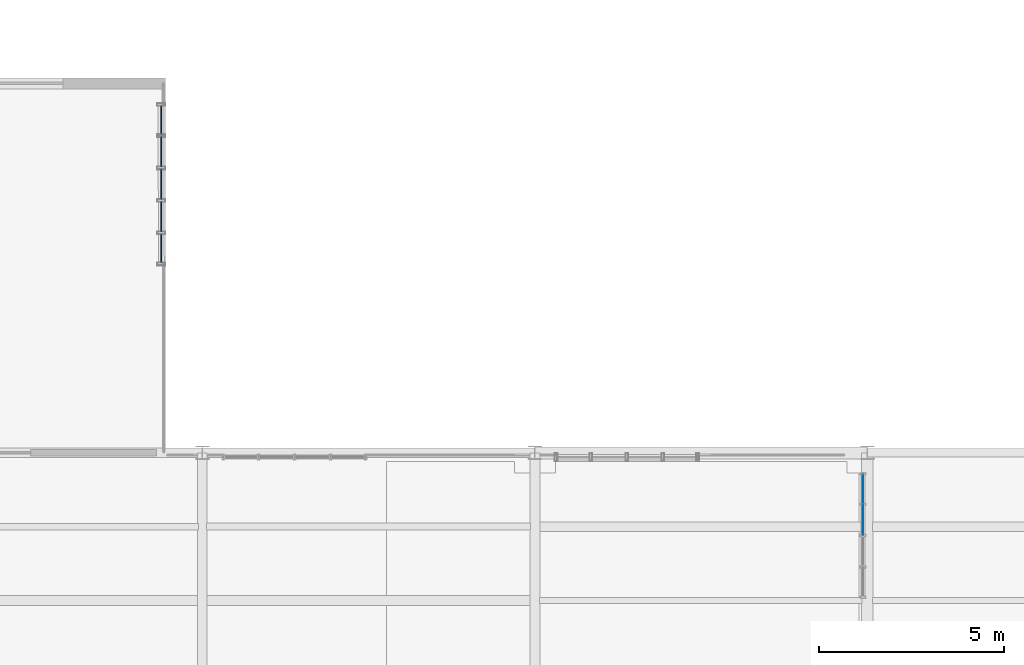
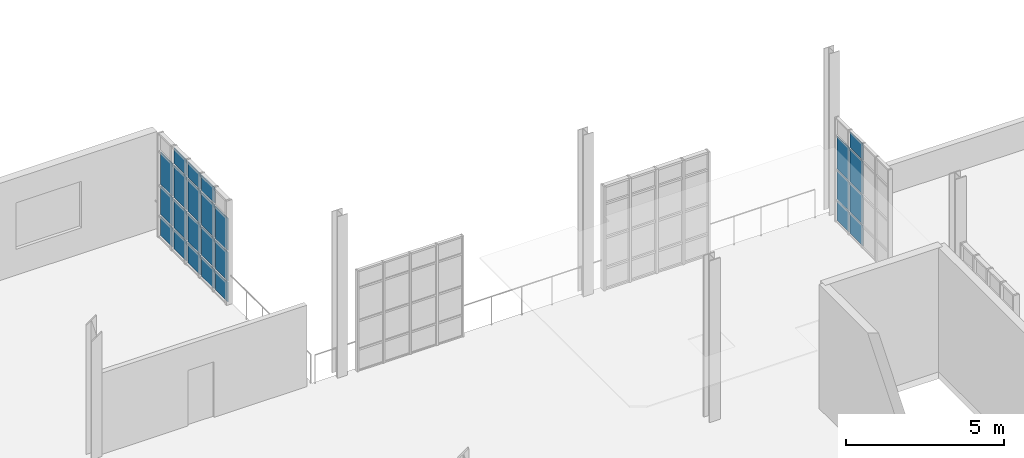
# One storey, part 95 of 118: 25 plates, 2 elements without a shape of their own.
"""IFC4 building model written with IfcOpenShell, lengths in metres."""

from ifc_helpers import new_model, si_unit, direction, frame, origin, origin_2d, place, context, subcontext, project, spatial, rectangle, extrude, material, layer, layer_set, type_object, element, aggregate, save


model = new_model("IFC4")

# Units and contexts
model_context = context("Model", 3, precision=1e-05, world=origin(), true_north=direction((0.0, 1.0)))
body_context = subcontext(model_context, "Body", "Model", "MODEL_VIEW")
ifc_project = project(units=[si_unit("LENGTHUNIT", "METRE"), si_unit("AREAUNIT", "SQUARE_METRE"), si_unit("VOLUMEUNIT", "CUBIC_METRE"), si_unit("PLANEANGLEUNIT", "RADIAN"), si_unit("MASSUNIT", "GRAM", prefix="KILO"), si_unit("THERMODYNAMICTEMPERATUREUNIT", "KELVIN"), si_unit("POWERUNIT", "WATT")], contexts=[model_context])

# Site, building, storey
site_placement = place(None, origin())
site = spatial("IfcSite", under=ifc_project, at=site_placement, CompositionType="ELEMENT")
building_placement = place(site_placement, origin())
building = spatial("IfcBuilding", under=site, at=building_placement, Name="Zelmaris Science Centre", CompositionType="ELEMENT")
storey_placement = place(building_placement, frame((0.0, 0.0, 15.60009765625)))
storey = spatial("IfcBuildingStorey", under=building, at=storey_placement, Name="L03", CompositionType="ELEMENT", Elevation=15.60009765625)

# Curtain wall, plates
ifc_material_1 = material(Name="Anodised architectural aluminium 6063-T6", Category="aluminium")
ifc_layer_1 = layer(ifc_material_1, 0.199951171875, Name="Anodised architectural aluminium 6063-T6")
ifc_layer_set_1 = layer_set([ifc_layer_1], Name="Anodised architectural aluminium 6063-T6")
curtain_wall_type_1 = type_object("IfcCurtainWallType", Name="Curtain Wall CW-02", PredefinedType="USERDEFINED", material=ifc_layer_set_1)
curtain_wall_1_placement = place(storey_placement, origin())
curtain_wall_1 = element("IfcCurtainWall", 1, at=curtain_wall_1_placement, inside=storey, type_object=curtain_wall_type_1, Name="L03 Unitised curtain wall 290", ObjectType="GLAZED CURTAIN WALL", PredefinedType="USERDEFINED")
ifc_material_2 = material(Name="Laminated hurricane-rated low-E insulated glazing", Category="glass")
ifc_layer_2 = layer(ifc_material_2, 0.028076171875, Name="Laminated hurricane-rated low-E insulated glazing")
ifc_layer_set_2 = layer_set([ifc_layer_2], Name="Laminated hurricane-rated low-E insulated glazing")
plate_type_1 = type_object("IfcPlateType", Name="Curtain Glazing Panel CWP-2 28mm", PredefinedType="CURTAIN_PANEL", material=ifc_layer_set_2)
plate_1_placement = place(storey_placement, frame((115.88134765625, 65.004150390625, 0.052001953125), z_axis=(0.0, 0.0, 1.0), x_axis=(0.001367052727, -0.999999065583, 0.0)))
plate_1 = element("IfcPlate", 2, at=plate_1_placement, type_object=plate_type_1, Name="CW-02 panel 1.1", PredefinedType="CURTAIN_PANEL", context=body_context, shape_type="SweptSolid", body=[
    extrude(rectangle(XDim=0.77734375, YDim=0.028076171875, at=origin_2d()), origin(), (0.0, 0.0, 1.0), 0.74951171875),
])
plate_2_placement = place(storey_placement, frame((115.88134765625, 65.004150390625, 0.868408203125), z_axis=(0.0, 0.0, 1.0), x_axis=(0.001367052727, -0.999999065583, 0.0)))
plate_2 = element("IfcPlate", 3, at=plate_2_placement, type_object=plate_type_1, Name="CW-02 panel 1.2", PredefinedType="CURTAIN_PANEL", context=body_context, shape_type="SweptSolid", body=[
    extrude(rectangle(XDim=0.77734375, YDim=0.028076171875, at=origin_2d()), origin(), (0.0, 0.0, 1.0), 1.10546875),
])
plate_3_placement = place(storey_placement, frame((115.88134765625, 65.004150390625, 2.041015625), z_axis=(0.0, 0.0, 1.0), x_axis=(0.001367052727, -0.999999065583, 0.0)))
plate_3 = element("IfcPlate", 4, at=plate_3_placement, type_object=plate_type_1, Name="CW-02 panel 1.3", PredefinedType="CURTAIN_PANEL", context=body_context, shape_type="SweptSolid", body=[
    extrude(rectangle(XDim=0.77734375, YDim=0.028076171875, at=origin_2d()), origin(), (0.0, 0.0, 1.0), 1.255615234375),
])
plate_4_placement = place(storey_placement, frame((115.882568359375, 64.14306640625, 0.052001953125), z_axis=(0.0, 0.0, 1.0), x_axis=(0.001367052727, -0.999999065583, 0.0)))
plate_4 = element("IfcPlate", 5, at=plate_4_placement, type_object=plate_type_1, Name="CW-02 panel 2.1", PredefinedType="CURTAIN_PANEL", context=body_context, shape_type="SweptSolid", body=[
    extrude(rectangle(XDim=0.810791015625, YDim=0.028076171875, at=origin_2d()), origin(), (0.0, 0.0, 1.0), 0.74951171875),
])
plate_5_placement = place(storey_placement, frame((115.882568359375, 64.14306640625, 0.868408203125), z_axis=(0.0, 0.0, 1.0), x_axis=(0.001367052727, -0.999999065583, 0.0)))
plate_5 = element("IfcPlate", 6, at=plate_5_placement, type_object=plate_type_1, Name="CW-02 panel 2.2", PredefinedType="CURTAIN_PANEL", context=body_context, shape_type="SweptSolid", body=[
    extrude(rectangle(XDim=0.810791015625, YDim=0.028076171875, at=origin_2d()), origin(), (0.0, 0.0, 1.0), 1.10546875),
])
plate_6_placement = place(storey_placement, frame((115.882568359375, 64.14306640625, 2.041015625), z_axis=(0.0, 0.0, 1.0), x_axis=(0.001367052727, -0.999999065583, 0.0)))
plate_6 = element("IfcPlate", 7, at=plate_6_placement, type_object=plate_type_1, Name="CW-02 panel 2.3", PredefinedType="CURTAIN_PANEL", context=body_context, shape_type="SweptSolid", body=[
    extrude(rectangle(XDim=0.810791015625, YDim=0.028076171875, at=origin_2d()), origin(), (0.0, 0.0, 1.0), 1.255615234375),
])
plate_7_placement = place(storey_placement, frame((115.882568359375, 64.14306640625, 3.36328125), z_axis=(0.0, 0.0, 1.0), x_axis=(0.001367052727, -0.999999065583, 0.0)))
plate_7 = element("IfcPlate", 8, at=plate_7_placement, type_object=plate_type_1, Name="CW-02 panel 2.4", PredefinedType="CURTAIN_PANEL", context=body_context, shape_type="SweptSolid", body=[
    extrude(rectangle(XDim=0.810791015625, YDim=0.028076171875, at=origin_2d()), origin(), (0.0, 0.0, 1.0), 0.599609375),
])
plate_8_placement = place(storey_placement, frame((115.8837890625, 63.26513671875, 0.052001953125), z_axis=(0.0, 0.0, 1.0), x_axis=(0.001367052727, -0.999999065583, 0.0)))
plate_8 = element("IfcPlate", 9, at=plate_8_placement, type_object=plate_type_1, Name="CW-02 panel 3.1", PredefinedType="CURTAIN_PANEL", context=body_context, shape_type="SweptSolid", body=[
    extrude(rectangle(XDim=0.810791015625, YDim=0.028076171875, at=origin_2d()), origin(), (0.0, 0.0, 1.0), 0.74951171875),
])
plate_9_placement = place(storey_placement, frame((115.8837890625, 63.26513671875, 0.868408203125), z_axis=(0.0, 0.0, 1.0), x_axis=(0.001367052727, -0.999999065583, 0.0)))
plate_9 = element("IfcPlate", 10, at=plate_9_placement, type_object=plate_type_1, Name="CW-02 panel 3.2", PredefinedType="CURTAIN_PANEL", context=body_context, shape_type="SweptSolid", body=[
    extrude(rectangle(XDim=0.810791015625, YDim=0.028076171875, at=origin_2d()), origin(), (0.0, 0.0, 1.0), 1.10546875),
])
plate_10_placement = place(storey_placement, frame((115.8837890625, 63.26513671875, 2.041015625), z_axis=(0.0, 0.0, 1.0), x_axis=(0.001367052727, -0.999999065583, 0.0)))
plate_10 = element("IfcPlate", 11, at=plate_10_placement, type_object=plate_type_1, Name="CW-02 panel 3.3", PredefinedType="CURTAIN_PANEL", context=body_context, shape_type="SweptSolid", body=[
    extrude(rectangle(XDim=0.810791015625, YDim=0.028076171875, at=origin_2d()), origin(), (0.0, 0.0, 1.0), 1.255615234375),
])
plate_11_placement = place(storey_placement, frame((115.8837890625, 63.26513671875, 3.36328125), z_axis=(0.0, 0.0, 1.0), x_axis=(0.001367052727, -0.999999065583, 0.0)))
plate_11 = element("IfcPlate", 12, at=plate_11_placement, type_object=plate_type_1, Name="CW-02 panel 3.4", PredefinedType="CURTAIN_PANEL", context=body_context, shape_type="SweptSolid", body=[
    extrude(rectangle(XDim=0.810791015625, YDim=0.028076171875, at=origin_2d()), origin(), (0.0, 0.0, 1.0), 0.599609375),
])
plate_12_placement = place(storey_placement, frame((115.885009765625, 62.387451171875, 0.052001953125), z_axis=(0.0, 0.0, 1.0), x_axis=(0.001367052727, -0.999999065583, 0.0)))
plate_12 = element("IfcPlate", 13, at=plate_12_placement, type_object=plate_type_1, Name="CW-02 panel 4.1", PredefinedType="CURTAIN_PANEL", context=body_context, shape_type="SweptSolid", body=[
    extrude(rectangle(XDim=0.810791015625, YDim=0.028076171875, at=origin_2d()), origin(), (0.0, 0.0, 1.0), 0.74951171875),
])
plate_13_placement = place(storey_placement, frame((115.885009765625, 62.387451171875, 0.868408203125), z_axis=(0.0, 0.0, 1.0), x_axis=(0.001367052727, -0.999999065583, 0.0)))
plate_13 = element("IfcPlate", 14, at=plate_13_placement, type_object=plate_type_1, Name="CW-02 panel 4.2", PredefinedType="CURTAIN_PANEL", context=body_context, shape_type="SweptSolid", body=[
    extrude(rectangle(XDim=0.810791015625, YDim=0.028076171875, at=origin_2d()), origin(), (0.0, 0.0, 1.0), 1.10546875),
])
plate_14_placement = place(storey_placement, frame((115.885009765625, 62.387451171875, 2.041015625), z_axis=(0.0, 0.0, 1.0), x_axis=(0.001367052727, -0.999999065583, 0.0)))
plate_14 = element("IfcPlate", 15, at=plate_14_placement, type_object=plate_type_1, Name="CW-02 panel 4.3", PredefinedType="CURTAIN_PANEL", context=body_context, shape_type="SweptSolid", body=[
    extrude(rectangle(XDim=0.810791015625, YDim=0.028076171875, at=origin_2d()), origin(), (0.0, 0.0, 1.0), 1.255615234375),
])
plate_15_placement = place(storey_placement, frame((115.885009765625, 62.387451171875, 3.36328125), z_axis=(0.0, 0.0, 1.0), x_axis=(0.001367052727, -0.999999065583, 0.0)))
plate_15 = element("IfcPlate", 16, at=plate_15_placement, type_object=plate_type_1, Name="CW-02 panel 4.4", PredefinedType="CURTAIN_PANEL", context=body_context, shape_type="SweptSolid", body=[
    extrude(rectangle(XDim=0.810791015625, YDim=0.028076171875, at=origin_2d()), origin(), (0.0, 0.0, 1.0), 0.599609375),
])
plate_16_placement = place(storey_placement, frame((115.885986328125, 61.5263671875, 0.052001953125), z_axis=(0.0, 0.0, 1.0), x_axis=(0.001367052727, -0.999999065583, 0.0)))
plate_16 = element("IfcPlate", 17, at=plate_16_placement, type_object=plate_type_1, Name="CW-02 panel 5.1", PredefinedType="CURTAIN_PANEL", context=body_context, shape_type="SweptSolid", body=[
    extrude(rectangle(XDim=0.77734375, YDim=0.028076171875, at=origin_2d()), origin(), (0.0, 0.0, 1.0), 0.74951171875),
])
plate_17_placement = place(storey_placement, frame((115.885986328125, 61.5263671875, 0.868408203125), z_axis=(0.0, 0.0, 1.0), x_axis=(0.001367052727, -0.999999065583, 0.0)))
plate_17 = element("IfcPlate", 18, at=plate_17_placement, type_object=plate_type_1, Name="CW-02 panel 5.2", PredefinedType="CURTAIN_PANEL", context=body_context, shape_type="SweptSolid", body=[
    extrude(rectangle(XDim=0.77734375, YDim=0.028076171875, at=origin_2d()), origin(), (0.0, 0.0, 1.0), 1.10546875),
])
plate_18_placement = place(storey_placement, frame((115.885986328125, 61.5263671875, 2.041015625), z_axis=(0.0, 0.0, 1.0), x_axis=(0.001367052727, -0.999999065583, 0.0)))
plate_18 = element("IfcPlate", 19, at=plate_18_placement, type_object=plate_type_1, Name="CW-02 panel 5.3", PredefinedType="CURTAIN_PANEL", context=body_context, shape_type="SweptSolid", body=[
    extrude(rectangle(XDim=0.77734375, YDim=0.028076171875, at=origin_2d()), origin(), (0.0, 0.0, 1.0), 1.255615234375),
])
aggregate(curtain_wall_1, [plate_1, plate_2, plate_3, plate_4, plate_5, plate_6, plate_7, plate_8, plate_9, plate_10, plate_11, plate_12, plate_13, plate_14, plate_15, plate_16, plate_17, plate_18])

ifc_layer_3 = layer(ifc_material_1, 0.219970703125, Name="Anodised architectural aluminium 6063-T6")
ifc_layer_set_3 = layer_set([ifc_layer_3], Name="Anodised architectural aluminium 6063-T6")
curtain_wall_type_2 = type_object("IfcCurtainWallType", Name="Curtain Wall CW-04", PredefinedType="USERDEFINED", material=ifc_layer_set_3)
curtain_wall_2_placement = place(storey_placement, origin())
curtain_wall_2 = element("IfcCurtainWall", 20, at=curtain_wall_2_placement, inside=storey, type_object=curtain_wall_type_2, Name="L03 Unitised curtain wall 296", ObjectType="GLAZED CURTAIN WALL", PredefinedType="USERDEFINED")
ifc_layer_4 = layer(ifc_material_2, 0.02392578125, Name="Laminated hurricane-rated low-E insulated glazing")
ifc_layer_set_4 = layer_set([ifc_layer_4], Name="Laminated hurricane-rated low-E insulated glazing")
plate_type_2 = type_object("IfcPlateType", Name="Curtain Glazing Panel CWP-4 24mm", PredefinedType="CURTAIN_PANEL", material=ifc_layer_set_4)
plate_19_placement = place(storey_placement, frame((134.8798828125, 55.02197265625, 0.036865234375), z_axis=(0.0, 0.0, 1.0), x_axis=(0.0, -1.0, 0.0)))
plate_19 = element("IfcPlate", 21, at=plate_19_placement, type_object=plate_type_2, Name="CW-04 panel 1.1", PredefinedType="CURTAIN_PANEL", context=body_context, shape_type="SweptSolid", body=[
    extrude(rectangle(XDim=0.77197265625, YDim=0.02392578125, at=origin_2d()), origin(), (0.0, 0.0, 1.0), 0.77197265625),
])
plate_20_placement = place(storey_placement, frame((134.8798828125, 55.02197265625, 0.86083984375), z_axis=(0.0, 0.0, 1.0), x_axis=(0.0, -1.0, 0.0)))
plate_20 = element("IfcPlate", 22, at=plate_20_placement, type_object=plate_type_2, Name="CW-04 panel 1.2", PredefinedType="CURTAIN_PANEL", context=body_context, shape_type="SweptSolid", body=[
    extrude(rectangle(XDim=0.77197265625, YDim=0.02392578125, at=origin_2d()), origin(), (0.0, 0.0, 1.0), 1.12060546875),
])
plate_21_placement = place(storey_placement, frame((134.8798828125, 55.02197265625, 2.033447265625), z_axis=(0.0, 0.0, 1.0), x_axis=(0.0, -1.0, 0.0)))
plate_21 = element("IfcPlate", 23, at=plate_21_placement, type_object=plate_type_2, Name="CW-04 panel 1.3", PredefinedType="CURTAIN_PANEL", context=body_context, shape_type="SweptSolid", body=[
    extrude(rectangle(XDim=0.77197265625, YDim=0.02392578125, at=origin_2d()), origin(), (0.0, 0.0, 1.0), 1.2705078125),
])
plate_22_placement = place(storey_placement, frame((134.8798828125, 54.18505859375, 0.036865234375), z_axis=(0.0, 0.0, 1.0), x_axis=(0.0, -1.0, 0.0)))
plate_22 = element("IfcPlate", 24, at=plate_22_placement, type_object=plate_type_2, Name="CW-04 panel 2.1", PredefinedType="CURTAIN_PANEL", context=body_context, shape_type="SweptSolid", body=[
    extrude(rectangle(XDim=0.798095703125, YDim=0.02392578125, at=origin_2d()), origin(), (0.0, 0.0, 1.0), 0.77197265625),
])
plate_23_placement = place(storey_placement, frame((134.8798828125, 54.18505859375, 0.86083984375), z_axis=(0.0, 0.0, 1.0), x_axis=(0.0, -1.0, 0.0)))
plate_23 = element("IfcPlate", 25, at=plate_23_placement, type_object=plate_type_2, Name="CW-04 panel 2.2", PredefinedType="CURTAIN_PANEL", context=body_context, shape_type="SweptSolid", body=[
    extrude(rectangle(XDim=0.798095703125, YDim=0.02392578125, at=origin_2d()), origin(), (0.0, 0.0, 1.0), 1.12060546875),
])
plate_24_placement = place(storey_placement, frame((134.8798828125, 54.18505859375, 2.033447265625), z_axis=(0.0, 0.0, 1.0), x_axis=(0.0, -1.0, 0.0)))
plate_24 = element("IfcPlate", 26, at=plate_24_placement, type_object=plate_type_2, Name="CW-04 panel 2.3", PredefinedType="CURTAIN_PANEL", context=body_context, shape_type="SweptSolid", body=[
    extrude(rectangle(XDim=0.798095703125, YDim=0.02392578125, at=origin_2d()), origin(), (0.0, 0.0, 1.0), 1.2705078125),
])
plate_25_placement = place(storey_placement, frame((134.8798828125, 54.18505859375, 3.35595703125), z_axis=(0.0, 0.0, 1.0), x_axis=(0.0, -1.0, 0.0)))
plate_25 = element("IfcPlate", 27, at=plate_25_placement, type_object=plate_type_2, Name="CW-04 panel 2.4", PredefinedType="CURTAIN_PANEL", context=body_context, shape_type="SweptSolid", body=[
    extrude(rectangle(XDim=0.798095703125, YDim=0.02392578125, at=origin_2d()), origin(), (0.0, 0.0, 1.0), 0.6220703125),
])
aggregate(curtain_wall_2, [plate_19, plate_20, plate_21, plate_22, plate_23, plate_24, plate_25])

save(model, "model.ifc")
